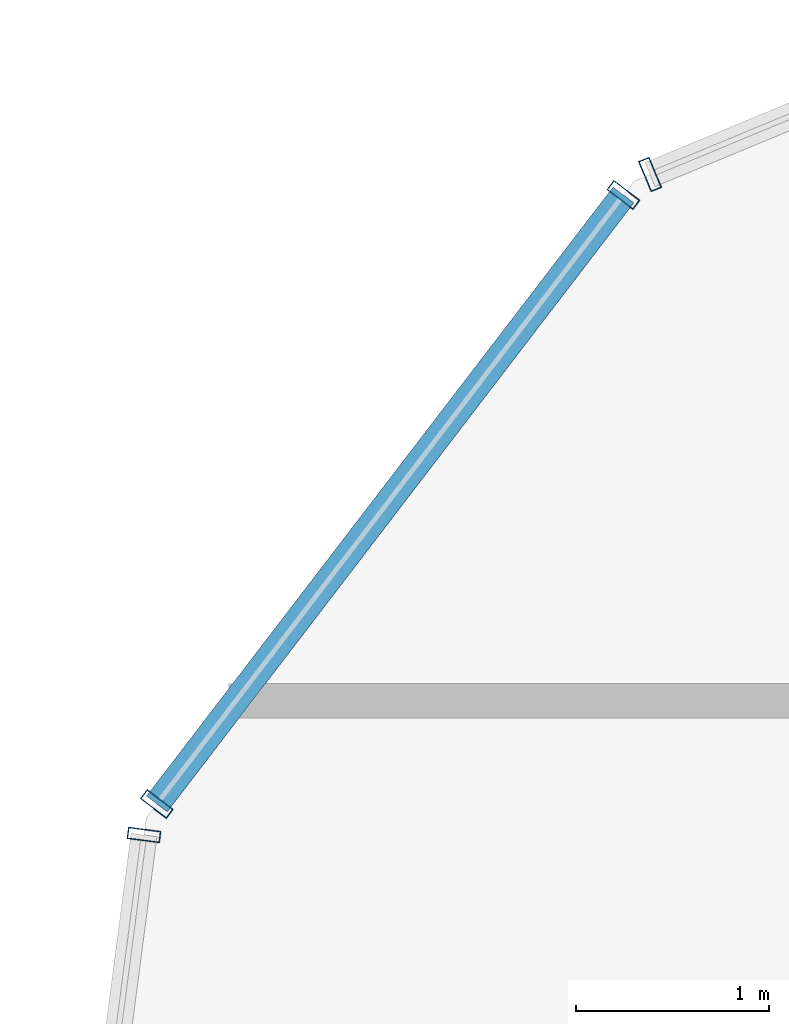
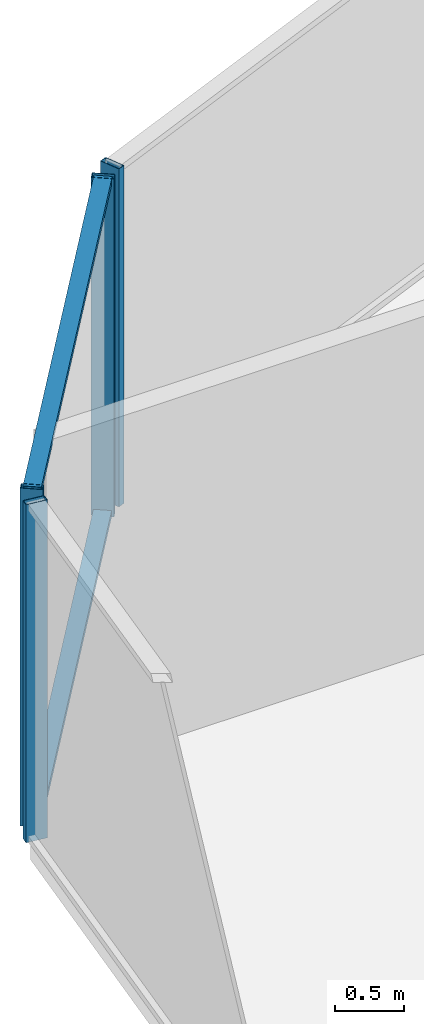
# One storey, part 17 of 30: 6 members, 3 elements without a shape of their own.
"""IFC4 building model written with IfcOpenShell, lengths in metres."""

import ifcopenshell
import ifcopenshell.guid

model = None  # the IFC model being written
_history = None  # IfcOwnerHistory: only IFC2X3 demands one
_inside = {}  # id of a spatial element -> (the spatial element, [elements in it])
_under = {}  # id of a project, library or spatial element -> (it, [spatial elements below it])
_declared = {}  # id of a project -> (the project, [libraries it declares])
_typed = {}  # id of a type object -> (the type object, [elements of that type])
_made_of = {}  # id of a material, layer set ... -> (it, [elements and type objects made of it])


def new_model(schema):
    """Start an empty IFC model of exactly this schema.

    Asked for "IFC4X3", IfcOpenShell would pick the latest addendum, in which some entities
    have other attributes; the version numbers below select the first issue.
    IFC2X3 requires an IfcOwnerHistory on every rooted entity: one is made here for all.
    """
    global model, _history
    if schema == "IFC4X3":
        model = ifcopenshell.file(schema_version=(4, 3, 0, 0))
    else:
        model = ifcopenshell.file(schema=schema)
    _inside.clear()
    _under.clear()
    _declared.clear()
    _typed.clear()
    _made_of.clear()
    _history = None
    if model.schema == "IFC2X3":
        org = make("IfcOrganization", Name="unknown")
        user = make(
            "IfcPersonAndOrganization",
            ThePerson=make("IfcPerson", FamilyName="unknown"),
            TheOrganization=org,
        )
        app = make(
            "IfcApplication",
            ApplicationDeveloper=org,
            Version="unknown",
            ApplicationFullName="unknown",
            ApplicationIdentifier="unknown",
        )
        _history = make(
            "IfcOwnerHistory",
            OwningUser=user,
            OwningApplication=app,
            ChangeAction="ADDED",
            CreationDate=0,
        )
    return model


def make(cls, **values):
    """One entity of the class cls with the attributes given. An attribute that is None is left unset."""
    return model.create_entity(
        cls, **{name: value for name, value in values.items() if value is not None}
    )


def rooted(cls, **values):
    """An entity with a GlobalId (a new one), such as an element, a storey or a relation."""
    return make(cls, GlobalId=ifcopenshell.guid.new(), OwnerHistory=_history, **values)


def si_unit(unit_type, name, prefix=None):
    """IfcSIUnit, for example si_unit("LENGTHUNIT", "METRE", prefix="MILLI")."""
    return make("IfcSIUnit", UnitType=unit_type, Prefix=prefix, Name=name)


def assignment(units):
    """IfcUnitAssignment: the units of a project."""
    return None if units is None else make("IfcUnitAssignment", Units=units)


def point(xyz):
    """IfcCartesianPoint."""
    return None if xyz is None else make("IfcCartesianPoint", Coordinates=xyz)


def direction(xyz):
    """IfcDirection."""
    return None if xyz is None else make("IfcDirection", DirectionRatios=xyz)


def frame(location, z_axis=None, x_axis=None):
    """IfcAxis2Placement3D, a coordinate frame: its origin and axes. An axis left out is left unset."""
    return make(
        "IfcAxis2Placement3D",
        Location=point(location),
        Axis=direction(z_axis),
        RefDirection=direction(x_axis),
    )


def frame_2d(location, x_axis=None):
    """IfcAxis2Placement2D, a coordinate frame in the plane: its origin and x axis."""
    return make(
        "IfcAxis2Placement2D", Location=point(location), RefDirection=direction(x_axis)
    )


def origin():
    """The frame at (0, 0, 0) with its axes left unset."""
    return frame((0.0, 0.0, 0.0))


def origin_2d():
    """The frame at (0, 0) in the plane with its x axis left unset."""
    return frame_2d((0.0, 0.0))


def place(relative_to, where):
    """IfcLocalPlacement: puts the frame where relative to a parent placement (None: the world)."""
    return make(
        "IfcLocalPlacement", PlacementRelTo=relative_to, RelativePlacement=where
    )


def context(
    kind, dimensions, precision=None, world=None, true_north=None, identifier=None
):
    """IfcGeometricRepresentationContext, for example the 3D "Model" context."""
    return make(
        "IfcGeometricRepresentationContext",
        ContextIdentifier=identifier,
        ContextType=kind,
        CoordinateSpaceDimension=dimensions,
        Precision=precision,
        WorldCoordinateSystem=world,
        TrueNorth=true_north,
    )


def subcontext(parent, identifier, kind, view, scale=None):
    """IfcGeometricRepresentationSubContext, for example "Body" below "Model"."""
    return make(
        "IfcGeometricRepresentationSubContext",
        ContextIdentifier=identifier,
        ContextType=kind,
        ParentContext=parent,
        TargetScale=scale,
        TargetView=view,
    )


def project(units=None, contexts=None):
    """IfcProject with its units and contexts."""
    return rooted(
        "IfcProject",
        Name="project",
        RepresentationContexts=contexts,
        UnitsInContext=assignment(units),
    )


def spatial(cls, under=None, at=None, **own):
    """A site, building, storey or space (cls), placed at a placement, below another one or the project."""
    s = rooted(cls, ObjectPlacement=at, **own)
    if under is not None:
        _under.setdefault(under.id(), (under, []))[1].append(s)
    return s


def profile(cls, at=None, kind="AREA", **sizes):
    """A parametric profile (cls). Its sizes go by their IFC names, for example OverallWidth=200.0."""
    return make(cls, ProfileType=kind, Position=at, **sizes)


def hollow_rectangle(**sizes):
    """IfcRectangleHollowProfileDef."""
    return profile("IfcRectangleHollowProfileDef", **sizes)


def extrude(swept, where, along, depth):
    """IfcExtrudedAreaSolid: the profile swept, set in the frame where, extruded along a direction by depth."""
    return make(
        "IfcExtrudedAreaSolid",
        SweptArea=swept,
        Position=where,
        ExtrudedDirection=direction(along),
        Depth=depth,
    )


def shape(context_of_items, identifier, shape_type, items):
    """IfcShapeRepresentation: the items that make up one representation, for example the "Body"."""
    return make(
        "IfcShapeRepresentation",
        ContextOfItems=context_of_items,
        RepresentationIdentifier=identifier,
        RepresentationType=shape_type,
        Items=items,
    )


def source(mapping_origin, context_of_items, identifier, shape_type, items):
    """IfcRepresentationMap: a shape defined once, which mapped items show again and again."""
    return make(
        "IfcRepresentationMap",
        MappingOrigin=mapping_origin,
        MappedRepresentation=shape(context_of_items, identifier, shape_type, items),
    )


def transform(
    local_origin,
    x_axis=None,
    y_axis=None,
    z_axis=None,
    scale=None,
    scale2=None,
    scale3=None,
    uniform=True,
):
    """IfcCartesianTransformationOperator3D, or its non-uniform kind. x_axis, y_axis, z_axis: its Axis1, 2, 3."""
    if uniform:
        return make(
            "IfcCartesianTransformationOperator3D",
            Axis1=direction(x_axis),
            Axis2=direction(y_axis),
            LocalOrigin=point(local_origin),
            Scale=scale,
            Axis3=direction(z_axis),
        )
    return make(
        "IfcCartesianTransformationOperator3DnonUniform",
        Axis1=direction(x_axis),
        Axis2=direction(y_axis),
        LocalOrigin=point(local_origin),
        Scale=scale,
        Axis3=direction(z_axis),
        Scale2=scale2,
        Scale3=scale3,
    )


def mapped(mapping_source, mapping_target):
    """IfcMappedItem: shows the shape of a source again, moved by a transform."""
    return make(
        "IfcMappedItem", MappingSource=mapping_source, MappingTarget=mapping_target
    )


def material(Name=None, Category=None):
    """IfcMaterial."""
    return make("IfcMaterial", Name=Name, Category=Category)


def layer(
    of_material, thickness, ventilated=None, Name=None, Category=None, Priority=None
):
    """IfcMaterialLayer: one layer of a wall or slab, of a material (None: an air gap)."""
    return make(
        "IfcMaterialLayer",
        Material=of_material,
        LayerThickness=thickness,
        IsVentilated=ventilated,
        Name=Name,
        Category=Category,
        Priority=Priority,
    )


def layer_set(layers, Name=None):
    """IfcMaterialLayerSet."""
    return make("IfcMaterialLayerSet", MaterialLayers=layers, LayerSetName=Name)


def material_profile(
    of_material, cross_section, Name=None, Category=None, Priority=None
):
    """IfcMaterialProfile: a cross section and its material."""
    return make(
        "IfcMaterialProfile",
        Name=Name,
        Material=of_material,
        Profile=cross_section,
        Priority=Priority,
        Category=Category,
    )


def profile_set(profiles, Name=None, composite=None):
    """IfcMaterialProfileSet."""
    return make(
        "IfcMaterialProfileSet",
        Name=Name,
        MaterialProfiles=profiles,
        CompositeProfile=composite,
    )


def made_of(thing, what):
    """Note that an element or type object is made of a material, layer set ...; save() writes the relation."""
    if what is not None:
        _made_of.setdefault(what.id(), (what, []))[1].append(thing)
    return thing


def type_object(cls, material=None, **own):
    """A type object (cls), such as IfcWallType, which elements share."""
    return made_of(rooted(cls, **own), material)


def element(
    cls,
    number,
    at=None,
    inside=None,
    cuts=None,
    type_object=None,
    material=None,
    context=None,
    identifier="Body",
    shape_type=None,
    held_by="IfcProductDefinitionShape",
    body=None,
    shapes=None,
    **own,
):
    """One element of the class cls, such as IfcWall. Its Tag is "e" and its number.

    at: its placement. inside: the storey or other place that contains it. cuts: it is an
    opening in that element (IfcRelVoidsElement). A single representation is given by context,
    identifier, shape_type and body (its items); several are given by shapes. held_by: the class
    of the entity that holds the representations. save() writes the other relations.
    """
    e = rooted(cls, Tag="e%d" % number, ObjectPlacement=at, **own)
    if body is not None:
        shapes = [shape(context, identifier, shape_type, body)]
    if shapes is not None:
        e.Representation = make(held_by, Representations=shapes)
    if inside is not None:
        _inside.setdefault(inside.id(), (inside, []))[1].append(e)
    if cuts is not None:
        rooted(
            "IfcRelVoidsElement", RelatingBuildingElement=cuts, RelatedOpeningElement=e
        )
    if type_object is not None:
        _typed.setdefault(type_object.id(), (type_object, []))[1].append(e)
    return made_of(e, material)


def aggregate(whole, parts):
    """IfcRelAggregates: a whole, such as a stair, and the parts it consists of."""
    return rooted("IfcRelAggregates", RelatingObject=whole, RelatedObjects=parts)


def save(model, path):
    """Write the relations noted so far, then the file.

    IfcRelAggregates (storeys below a building ...), IfcRelContainedInSpatialStructure (elements
    in a storey), IfcRelDefinesByType, IfcRelAssociatesMaterial and IfcRelDeclares: one each for
    every whole, place, type object, material and project.
    """
    for whole, parts in _under.values():
        aggregate(whole, parts)
    for where, things in _inside.values():
        rooted(
            "IfcRelContainedInSpatialStructure",
            RelatedElements=things,
            RelatingStructure=where,
        )
    for kind, things in _typed.values():
        rooted("IfcRelDefinesByType", RelatedObjects=things, RelatingType=kind)
    for what, things in _made_of.values():
        rooted("IfcRelAssociatesMaterial", RelatedObjects=things, RelatingMaterial=what)
    for by, libraries in _declared.values():
        rooted("IfcRelDeclares", RelatingContext=by, RelatedDefinitions=libraries)
    model.write(path)


model = new_model("IFC4")

# Units and contexts
model_context = context("Model", 3, precision=1e-05, world=origin(), true_north=direction((0.0, 1.0)))
body_context = subcontext(model_context, "Body", "Model", "MODEL_VIEW")
ifc_project = project(units=[si_unit("LENGTHUNIT", "METRE"), si_unit("AREAUNIT", "SQUARE_METRE"), si_unit("VOLUMEUNIT", "CUBIC_METRE"), si_unit("PLANEANGLEUNIT", "RADIAN"), si_unit("MASSUNIT", "GRAM", prefix="KILO")], contexts=[model_context])

# Site, building, storey
site_placement = place(None, origin())
site = spatial("IfcSite", under=ifc_project, at=site_placement, CompositionType="ELEMENT")
building_placement = place(site_placement, origin())
building = spatial("IfcBuilding", under=site, at=building_placement, Name="Veraguas Prism Commons", CompositionType="ELEMENT")
storey_placement = place(building_placement, frame((0.0, 0.0, 102.449951171875)))
storey = spatial("IfcBuildingStorey", under=building, at=storey_placement, Name="L28", CompositionType="ELEMENT", Elevation=102.449951171875)

# Curtain wall, member
ifc_material = material(Name="Anodised aluminium EN AW-6063 T6", Category="aluminium")
ifc_layer = layer(ifc_material, 0.169921875, Name="Unitised Flush Curtain Wall Zone 2", Category="aluminium")
ifc_layer_set = layer_set([ifc_layer], Name="Anodised aluminium EN AW-6063 T6")
curtain_wall_type = type_object("IfcCurtainWallType", Name="Unitised Flush Curtain Wall Zone 2", PredefinedType="NOTDEFINED", material=ifc_layer_set)
curtain_wall_1_placement = place(storey_placement, origin())
curtain_wall_1 = element("IfcCurtainWall", 1, at=curtain_wall_1_placement, inside=storey, type_object=curtain_wall_type, Name="Tower Facade Curtain Wall L28-F2", PredefinedType="NOTDEFINED")
ifc_material_profile_1 = material_profile(ifc_material, hollow_rectangle(XDim=0.06005859375, YDim=0.169921875, WallThickness=0.00390625, at=origin_2d()), Name="AL60X170X4")
ifc_profile_set_1 = profile_set([ifc_material_profile_1], Name="Anodised aluminium EN AW-6063 T6")
member_type_1 = type_object("IfcMemberType", Name="Curtain Wall Mullion Lower AL 60x170x4", PredefinedType="MULLION", material=ifc_profile_set_1)
shared_shape_1 = source(origin(), body_context, "Body", "SweptSolid", [
    extrude(hollow_rectangle(XDim=0.06005859375, YDim=0.169921875, WallThickness=0.00390625, at=origin_2d()), origin(), (0.0, 0.0, 1.0), 3.0),
])
member_1_placement = place(storey_placement, frame((8.715576171875, 38.42529296875, 0.0), z_axis=(0.0, 0.0, 1.0), x_axis=(-0.92361080588, -0.383331552657, 0.0)))
member_1 = element("IfcMember", 2, at=member_1_placement, type_object=member_type_1, Name="CW-Z2 Mullion 5", PredefinedType="MULLION", context=body_context, shape_type="MappedRepresentation", body=[
    mapped(shared_shape_1, transform((0.0, 0.0, 0.0), scale=1.0)),
])
aggregate(curtain_wall_1, [member_1])

curtain_wall_2_placement = place(storey_placement, origin())
curtain_wall_2 = element("IfcCurtainWall", 3, at=curtain_wall_2_placement, inside=storey, type_object=curtain_wall_type, Name="Tower Facade Curtain Wall L28-F3", PredefinedType="NOTDEFINED")
member_2_placement = place(storey_placement, frame((6.0947265625, 35.005126953125, 0.0), z_axis=(0.0, 0.0, 1.0), x_axis=(-0.129834001381, -0.99153574423, 0.0)))
member_2 = element("IfcMember", 4, at=member_2_placement, type_object=member_type_1, Name="CW-Z2 Mullion 1", PredefinedType="MULLION", context=body_context, shape_type="MappedRepresentation", body=[
    mapped(shared_shape_1, transform((0.0, 0.0, 0.0), scale=1.0)),
])
aggregate(curtain_wall_2, [member_2])

# Curtain wall, members
curtain_wall_3_placement = place(storey_placement, origin())
curtain_wall_3 = element("IfcCurtainWall", 5, at=curtain_wall_3_placement, inside=storey, type_object=curtain_wall_type, Name="Chamfer Curtain Wall L28-C3", PredefinedType="NOTDEFINED")
member_3_placement = place(storey_placement, frame((8.57763671875, 38.319580078125, 0.0), z_axis=(0.0, 0.0, 1.0), x_axis=(-0.60821157179, -0.793774957996, 0.0)))
member_3 = element("IfcMember", 6, at=member_3_placement, type_object=member_type_1, Name="CW-Z2 Mullion 1", PredefinedType="MULLION", context=body_context, shape_type="MappedRepresentation", body=[
    mapped(shared_shape_1, transform((0.0, 0.0, 0.0), scale=1.0)),
])
member_4_placement = place(storey_placement, frame((6.1611328125, 35.165771484375, 0.0), z_axis=(0.0, 0.0, 1.0), x_axis=(-0.60821157179, -0.793774957996, 0.0)))
member_4 = element("IfcMember", 7, at=member_4_placement, type_object=member_type_1, Name="CW-Z2 Mullion 2", PredefinedType="MULLION", context=body_context, shape_type="MappedRepresentation", body=[
    mapped(shared_shape_1, transform((0.0, 0.0, 0.0), scale=1.0)),
])
ifc_material_profile_2 = material_profile(ifc_material, hollow_rectangle(XDim=0.054931640625, YDim=0.135009765625, WallThickness=0.0029296875, at=origin_2d()), Name="AL55X135X3")
ifc_profile_set_2 = profile_set([ifc_material_profile_2], Name="Anodised aluminium EN AW-6063 T6")
member_type_2 = type_object("IfcMemberType", Name="Curtain Wall Transom Standard AL 55x135x3", PredefinedType="USERDEFINED", material=ifc_profile_set_2)
shared_shape_2 = source(origin(), body_context, "Body", "SweptSolid", [
    extrude(hollow_rectangle(XDim=0.054931640625, YDim=0.135009765625, WallThickness=0.0029296875, at=origin_2d()), origin(), (0.0, 0.0, 1.0), 3.97314453125),
])
member_5_placement = place(storey_placement, frame((8.57763671875, 38.319580078125, 0.027587890625), z_axis=(-0.608207057604, -0.793778416865, 0.0), x_axis=(0.0, 0.0, 1.0)))
member_5 = element("IfcMember", 8, at=member_5_placement, type_object=member_type_2, Name="CW-Z2 Transom 1", ObjectType="TRANSOM", PredefinedType="USERDEFINED", context=body_context, shape_type="MappedRepresentation", body=[
    mapped(shared_shape_2, transform((0.0, 0.0, 0.0), scale=1.0)),
])
member_6_placement = place(storey_placement, frame((8.57763671875, 38.319580078125, 2.97265625), z_axis=(-0.608207057604, -0.793778416865, 0.0), x_axis=(0.0, 0.0, 1.0)))
member_6 = element("IfcMember", 9, at=member_6_placement, type_object=member_type_2, Name="CW-Z2 Transom 2", ObjectType="TRANSOM", PredefinedType="USERDEFINED", context=body_context, shape_type="MappedRepresentation", body=[
    mapped(shared_shape_2, transform((0.0, 0.0, 0.0), scale=1.0)),
])
aggregate(curtain_wall_3, [member_3, member_4, member_5, member_6])

save(model, "model.ifc")
